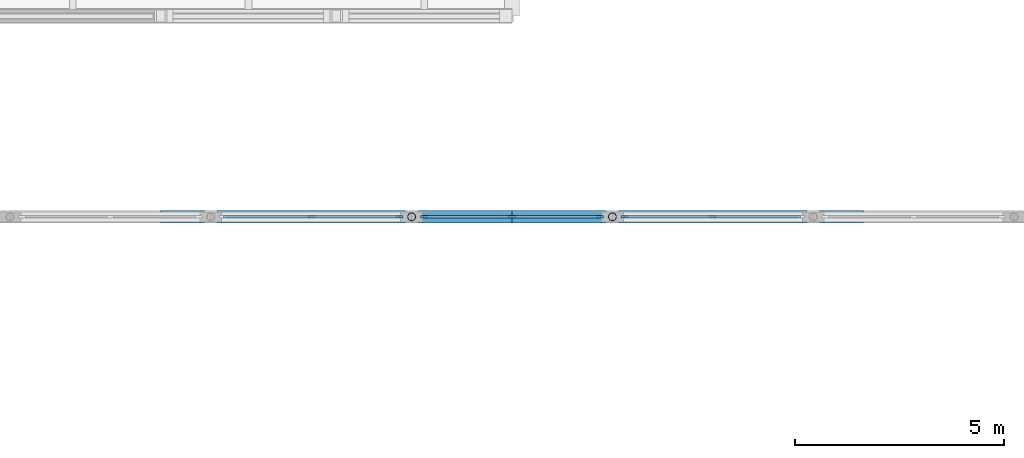
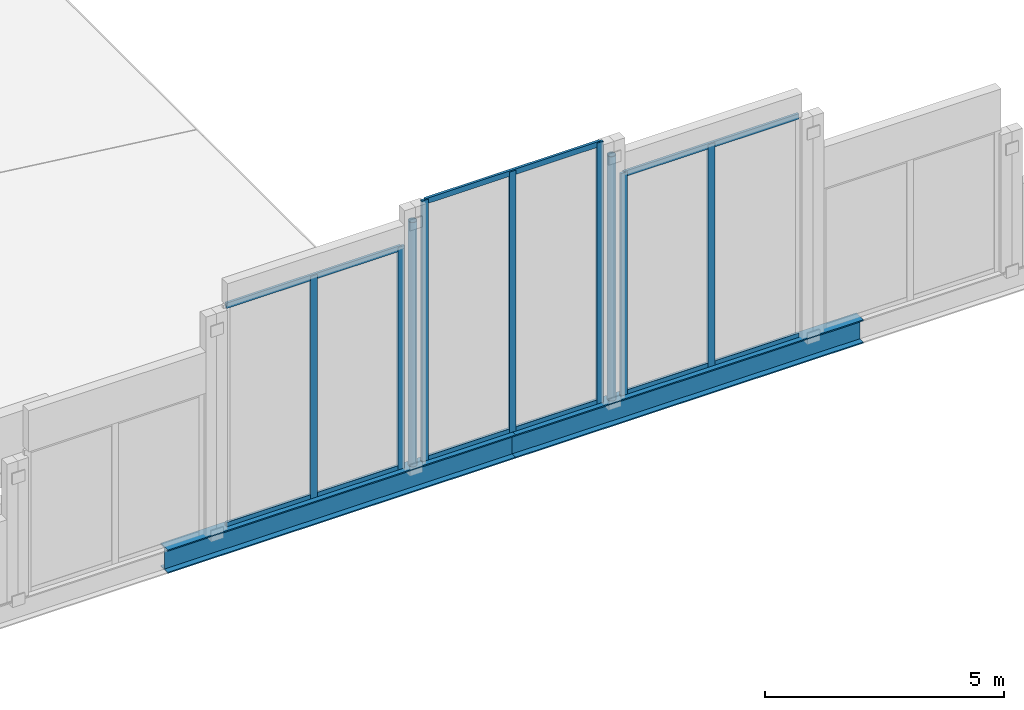
# One storey, part 5 of 34: 15 members, 2 beams, 3 elements without a shape of their own.
"""IFC4 building model written with IfcOpenShell, lengths in metres."""

from ifc_helpers import new_model, si_unit, direction, frame, origin, origin_2d, place, context, subcontext, project, spatial, rectangle, hollow_circle, i_section, extrude, material, material_profile, profile_set, type_object, element, aggregate, save


model = new_model("IFC4")

# Units and contexts
model_context = context("Model", 3, precision=1e-05, world=origin(), true_north=direction((0.0, 1.0)))
body_context = subcontext(model_context, "Body", "Model", "MODEL_VIEW")
ifc_project = project(units=[si_unit("LENGTHUNIT", "METRE"), si_unit("AREAUNIT", "SQUARE_METRE"), si_unit("VOLUMEUNIT", "CUBIC_METRE"), si_unit("PLANEANGLEUNIT", "RADIAN"), si_unit("MASSUNIT", "GRAM", prefix="KILO")], contexts=[model_context])

# Site, building, storey
site_placement = place(None, origin())
site = spatial("IfcSite", under=ifc_project, at=site_placement, CompositionType="ELEMENT")
building_placement = place(site_placement, origin())
building = spatial("IfcBuilding", under=site, at=building_placement, Name="Kahlenmark Community Centre", CompositionType="ELEMENT")
storey_placement = place(building_placement, frame((0.0, 0.0, 17.699951171875)))
storey = spatial("IfcBuildingStorey", under=building, at=storey_placement, Name="L04", CompositionType="ELEMENT", Elevation=17.699951171875)

# Beams
ifc_material_1 = material(Name="Steel S355", Category="steel")
ifc_material_profile_1 = material_profile(ifc_material_1, i_section(OverallWidth=0.300048828125, OverallDepth=0.60009765625, WebThickness=0.015380859375, FlangeThickness=0.030029296875, at=origin_2d()), Name="HEB 600")
ifc_profile_set_1 = profile_set([ifc_material_profile_1], Name="Steel S355")
beam_type = type_object("IfcBeamType", Name="BT-SPANDREL-HEB600", PredefinedType="SPANDREL", material=ifc_profile_set_1)
beam_1_placement = place(storey_placement, frame((20.800048828125, 37.60009765625, 0.0), z_axis=(1.0, 0.0, 0.0), x_axis=(0.0, 1.0, 0.0)))
element("IfcBeam", 1, at=beam_1_placement, inside=storey, type_object=beam_type, Name="L04 spandrel RB-1", PredefinedType="SPANDREL", context=body_context, shape_type="SweptSolid", body=[
    extrude(i_section(OverallWidth=0.300048828125, OverallDepth=0.60009765625, WebThickness=0.015380859375, FlangeThickness=0.030029296875, at=origin_2d()), origin(), (0.0, 0.0, 1.0), 8.39990234375),
])
beam_2_placement = place(storey_placement, frame((29.199951171875, 37.60009765625, 0.0), z_axis=(1.0, 0.0, 0.0), x_axis=(0.0, 1.0, 0.0)))
element("IfcBeam", 2, at=beam_2_placement, inside=storey, type_object=beam_type, Name="L04 spandrel RB-1", PredefinedType="SPANDREL", context=body_context, shape_type="SweptSolid", body=[
    extrude(i_section(OverallWidth=0.300048828125, OverallDepth=0.60009765625, WebThickness=0.015380859375, FlangeThickness=0.030029296875, at=origin_2d()), origin(), (0.0, 0.0, 1.0), 8.400146484375),
])

# Curtain wall, members
ifc_material_2 = material(Name="Anodised aluminium unitised curtain wall", Category="aluminium")
curtain_wall_type_1 = type_object("IfcCurtainWallType", Name="CWT-UNIT-428X568", PredefinedType="USERDEFINED", material=ifc_material_2)
curtain_wall_1_placement = place(storey_placement, origin())
curtain_wall_1 = element("IfcCurtainWall", 3, at=curtain_wall_1_placement, inside=storey, type_object=curtain_wall_type_1, Name="Unitised curtain wall CW-197", ObjectType="UNITISED CURTAIN WALL", PredefinedType="USERDEFINED")
ifc_material_3 = material(Name="Anodised aluminium 6063-T6", Category="aluminium")
ifc_material_profile_2 = material_profile(ifc_material_3, rectangle(XDim=0.06005859375, YDim=0.159912109375, at=origin_2d()), Name="ALU MULLION 60x160")
ifc_profile_set_2 = profile_set([ifc_material_profile_2], Name="Anodised aluminium 6063-T6")
member_type_1 = type_object("IfcMemberType", Name="MT-MUL-160", PredefinedType="MULLION", material=ifc_profile_set_2)
member_1_placement = place(storey_placement, frame((24.39990234375, 37.60009765625, 0.300048828125), z_axis=(0.0, 0.0, 1.0), x_axis=(0.0, 1.0, 0.0)))
member_1 = element("IfcMember", 4, at=member_1_placement, type_object=member_type_1, Name="CW-197 mullion 2", PredefinedType="MULLION", context=body_context, shape_type="SweptSolid", body=[
    extrude(rectangle(XDim=0.06005859375, YDim=0.159912109375, at=origin_2d()), origin(), (0.0, 0.0, 1.0), 5.6796875),
])
member_2_placement = place(storey_placement, frame((26.510009765625, 37.60009765625, 0.300048828125), z_axis=(0.0, 0.0, 1.0), x_axis=(0.0, 1.0, 0.0)))
member_2 = element("IfcMember", 5, at=member_2_placement, type_object=member_type_1, Name="CW-197 mullion 3", PredefinedType="MULLION", context=body_context, shape_type="SweptSolid", body=[
    extrude(rectangle(XDim=0.06005859375, YDim=0.159912109375, at=origin_2d()), origin(), (0.0, 0.0, 1.0), 5.6796875),
])

curtain_wall_type_2 = type_object("IfcCurtainWallType", Name="CWT-UNIT-428X666", PredefinedType="USERDEFINED", material=ifc_material_2)
curtain_wall_2_placement = place(storey_placement, origin())
curtain_wall_2 = element("IfcCurtainWall", 6, at=curtain_wall_2_placement, inside=storey, type_object=curtain_wall_type_2, Name="Unitised curtain wall CW-198", ObjectType="UNITISED CURTAIN WALL", PredefinedType="USERDEFINED")
member_3_placement = place(storey_placement, frame((27.090087890625, 37.60009765625, 0.300048828125), z_axis=(0.0, 0.0, 1.0), x_axis=(0.0, 1.0, 0.0)))
member_3 = element("IfcMember", 7, at=member_3_placement, type_object=member_type_1, Name="CW-198 mullion 1", PredefinedType="MULLION", context=body_context, shape_type="SweptSolid", body=[
    extrude(rectangle(XDim=0.06005859375, YDim=0.159912109375, at=origin_2d()), origin(), (0.0, 0.0, 1.0), 6.66259765625),
])
member_4_placement = place(storey_placement, frame((29.199951171875, 37.60009765625, 0.300048828125), z_axis=(0.0, 0.0, 1.0), x_axis=(0.0, 1.0, 0.0)))
member_4 = element("IfcMember", 8, at=member_4_placement, type_object=member_type_1, Name="CW-198 mullion 2", PredefinedType="MULLION", context=body_context, shape_type="SweptSolid", body=[
    extrude(rectangle(XDim=0.06005859375, YDim=0.159912109375, at=origin_2d()), origin(), (0.0, 0.0, 1.0), 6.66259765625),
])
member_5_placement = place(storey_placement, frame((31.31005859375, 37.60009765625, 0.300048828125), z_axis=(0.0, 0.0, 1.0), x_axis=(0.0, 1.0, 0.0)))
member_5 = element("IfcMember", 9, at=member_5_placement, type_object=member_type_1, Name="CW-198 mullion 3", PredefinedType="MULLION", context=body_context, shape_type="SweptSolid", body=[
    extrude(rectangle(XDim=0.06005859375, YDim=0.159912109375, at=origin_2d()), origin(), (0.0, 0.0, 1.0), 6.66259765625),
])

curtain_wall_3_placement = place(storey_placement, origin())
curtain_wall_3 = element("IfcCurtainWall", 10, at=curtain_wall_3_placement, inside=storey, type_object=curtain_wall_type_1, Name="Unitised curtain wall CW-199", ObjectType="UNITISED CURTAIN WALL", PredefinedType="USERDEFINED")
member_6_placement = place(storey_placement, frame((31.889892578125, 37.60009765625, 0.300048828125), z_axis=(0.0, 0.0, 1.0), x_axis=(0.0, 1.0, 0.0)))
member_6 = element("IfcMember", 11, at=member_6_placement, type_object=member_type_1, Name="CW-199 mullion 1", PredefinedType="MULLION", context=body_context, shape_type="SweptSolid", body=[
    extrude(rectangle(XDim=0.06005859375, YDim=0.159912109375, at=origin_2d()), origin(), (0.0, 0.0, 1.0), 5.6796875),
])
member_7_placement = place(storey_placement, frame((34.0, 37.60009765625, 0.300048828125), z_axis=(0.0, 0.0, 1.0), x_axis=(0.0, 1.0, 0.0)))
member_7 = element("IfcMember", 12, at=member_7_placement, type_object=member_type_1, Name="CW-199 mullion 2", PredefinedType="MULLION", context=body_context, shape_type="SweptSolid", body=[
    extrude(rectangle(XDim=0.06005859375, YDim=0.159912109375, at=origin_2d()), origin(), (0.0, 0.0, 1.0), 5.6796875),
])

# Members
ifc_material_profile_3 = material_profile(ifc_material_1, hollow_circle(Radius=0.096923828125, WallThickness=0.008056640625, at=origin_2d()), Name="CHS 193.7x8")
ifc_profile_set_3 = profile_set([ifc_material_profile_3], Name="Steel S355")
member_type_2 = type_object("IfcMemberType", Name="MT-STRUT-CHS193.7x8", PredefinedType="STRUT", material=ifc_profile_set_3)
for number, where, z_axis, x_axis, name in (
    (13, (26.800048828125, 37.60009765625, 0.280029296875), (0.0, 0.0, 1.0), (1.0, 0.0, 0.0), "L04 strut GS-POST"),
    (14, (31.60009765625, 37.60009765625, 0.280029296875), (0.0, 0.0, 1.0), (1.0, 0.0, 0.0), "L04 strut GS-POST"),
):
    element("IfcMember", number, at=place(storey_placement, frame(where, z_axis=z_axis, x_axis=x_axis)), inside=storey, type_object=member_type_2, Name=name, PredefinedType="STRUT", context=body_context, shape_type="SweptSolid", body=[
        extrude(hollow_circle(Radius=0.096923828125, WallThickness=0.008056640625, at=origin_2d()), origin(), (0.0, 0.0, 1.0), 6.256103515625),
    ])

# Member
ifc_material_profile_4 = material_profile(ifc_material_3, rectangle(XDim=0.06005859375, YDim=0.139892578125, at=origin_2d()), Name="ALU TRANSOM 60x140")
ifc_profile_set_4 = profile_set([ifc_material_profile_4], Name="Anodised aluminium 6063-T6")
member_type_3 = type_object("IfcMemberType", Name="MT-TRN-140", PredefinedType="USERDEFINED", material=ifc_profile_set_4)
member_8_placement = place(storey_placement, frame((22.2900390625, 37.60009765625, 0.340087890625), z_axis=(1.0, 0.0, 0.0), x_axis=(0.0, 1.0, 0.0)))
member_8 = element("IfcMember", 15, at=member_8_placement, type_object=member_type_3, Name="CW-197 transom 1", ObjectType="TRANSOM", PredefinedType="USERDEFINED", context=body_context, shape_type="SweptSolid", body=[
    extrude(rectangle(XDim=0.06005859375, YDim=0.139892578125, at=origin_2d()), origin(), (0.0, 0.0, 1.0), 4.219970703125),
])

member_9_placement = place(storey_placement, frame((22.2900390625, 37.60009765625, 5.939697265625), z_axis=(1.0, 0.0, 0.0), x_axis=(0.0, 1.0, 0.0)))
member_9 = element("IfcMember", 16, at=member_9_placement, type_object=member_type_3, Name="CW-197 transom 2", ObjectType="TRANSOM", PredefinedType="USERDEFINED", context=body_context, shape_type="SweptSolid", body=[
    extrude(rectangle(XDim=0.06005859375, YDim=0.139892578125, at=origin_2d()), origin(), (0.0, 0.0, 1.0), 4.219970703125),
])

aggregate(curtain_wall_1, [member_1, member_2, member_8, member_9])

member_10_placement = place(storey_placement, frame((27.090087890625, 37.60009765625, 0.340087890625), z_axis=(1.0, 0.0, 0.0), x_axis=(0.0, 1.0, 0.0)))
member_10 = element("IfcMember", 17, at=member_10_placement, type_object=member_type_3, Name="CW-198 transom 1", ObjectType="TRANSOM", PredefinedType="USERDEFINED", context=body_context, shape_type="SweptSolid", body=[
    extrude(rectangle(XDim=0.06005859375, YDim=0.139892578125, at=origin_2d()), origin(), (0.0, 0.0, 1.0), 4.219970703125),
])

member_11_placement = place(storey_placement, frame((27.090087890625, 37.60009765625, 6.922607421875), z_axis=(1.0, 0.0, 0.0), x_axis=(0.0, 1.0, 0.0)))
member_11 = element("IfcMember", 18, at=member_11_placement, type_object=member_type_3, Name="CW-198 transom 2", ObjectType="TRANSOM", PredefinedType="USERDEFINED", context=body_context, shape_type="SweptSolid", body=[
    extrude(rectangle(XDim=0.06005859375, YDim=0.139892578125, at=origin_2d()), origin(), (0.0, 0.0, 1.0), 4.219970703125),
])

aggregate(curtain_wall_2, [member_3, member_4, member_5, member_10, member_11])

member_12_placement = place(storey_placement, frame((31.889892578125, 37.60009765625, 0.340087890625), z_axis=(1.0, 0.0, 0.0), x_axis=(0.0, 1.0, 0.0)))
member_12 = element("IfcMember", 19, at=member_12_placement, type_object=member_type_3, Name="CW-199 transom 1", ObjectType="TRANSOM", PredefinedType="USERDEFINED", context=body_context, shape_type="SweptSolid", body=[
    extrude(rectangle(XDim=0.06005859375, YDim=0.139892578125, at=origin_2d()), origin(), (0.0, 0.0, 1.0), 4.22021484375),
])

member_13_placement = place(storey_placement, frame((31.889892578125, 37.60009765625, 5.939697265625), z_axis=(1.0, 0.0, 0.0), x_axis=(0.0, 1.0, 0.0)))
member_13 = element("IfcMember", 20, at=member_13_placement, type_object=member_type_3, Name="CW-199 transom 2", ObjectType="TRANSOM", PredefinedType="USERDEFINED", context=body_context, shape_type="SweptSolid", body=[
    extrude(rectangle(XDim=0.06005859375, YDim=0.139892578125, at=origin_2d()), origin(), (0.0, 0.0, 1.0), 4.22021484375),
])

aggregate(curtain_wall_3, [member_6, member_7, member_12, member_13])

save(model, "model.ifc")
